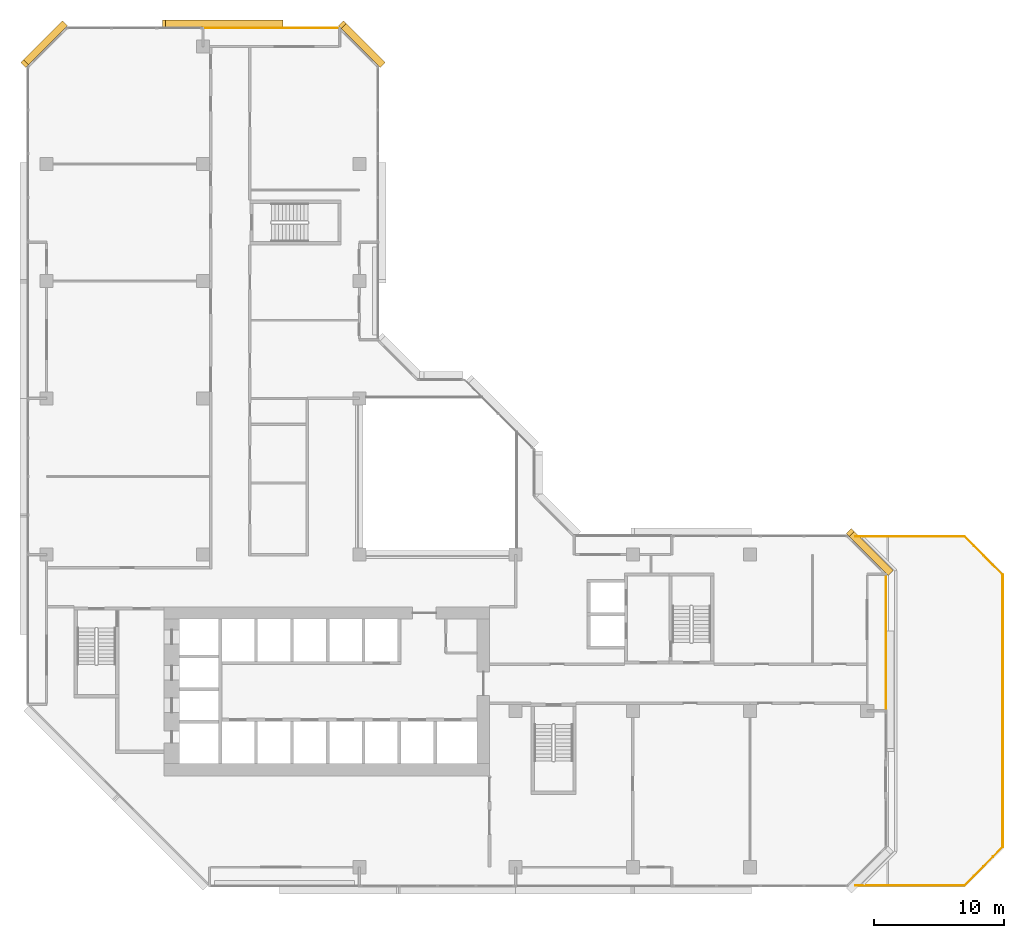
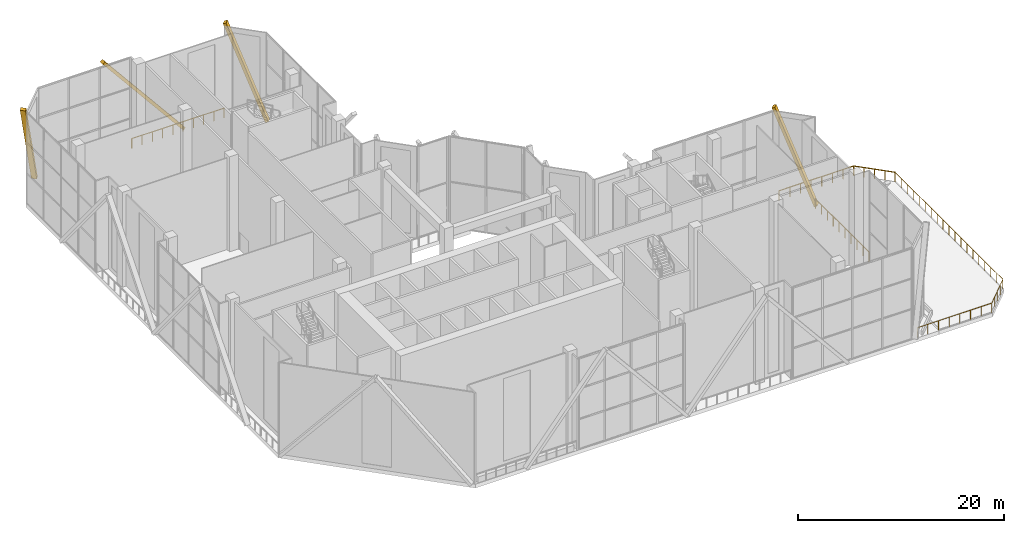
# One storey, part 21 of 21: 4 coverings, 4 railings.
"""IFC4 building model written with IfcOpenShell, lengths in metres."""

from ifc_helpers import new_model, si_unit, direction, frame, origin, origin_2d, place, context, subcontext, project, spatial, rectangle, extrude, material, material_profile, profile_set, type_object, element, save


model = new_model("IFC4")

# Units and contexts
model_context = context("Model", 3, precision=1e-05, world=origin(), true_north=direction((0.0, 1.0)))
body_context = subcontext(model_context, "Body", "Model", "MODEL_VIEW")
ifc_project = project(units=[si_unit("LENGTHUNIT", "METRE"), si_unit("AREAUNIT", "SQUARE_METRE"), si_unit("VOLUMEUNIT", "CUBIC_METRE"), si_unit("PLANEANGLEUNIT", "RADIAN"), si_unit("MASSUNIT", "GRAM", prefix="KILO")], contexts=[model_context])

# Site, building, storey
site_placement = place(None, origin())
site = spatial("IfcSite", under=ifc_project, at=site_placement, CompositionType="ELEMENT")
building_placement = place(site_placement, origin())
building = spatial("IfcBuilding", under=site, at=building_placement, Name="Chenar Terraces", CompositionType="ELEMENT")
storey_placement = place(building_placement, frame((0.0, 0.0, 146.14990234375)))
storey = spatial("IfcBuildingStorey", under=building, at=storey_placement, Name="L34", CompositionType="ELEMENT", Elevation=146.14990234375)

# Railings
ifc_material_1 = material(Name="Stainless steel and glass", Category="steel")
railing_type_1 = type_object("IfcRailingType", Name="Loggia guard 1150", PredefinedType="GUARDRAIL", material=ifc_material_1)
railing_1_placement = place(storey_placement, frame((64.449951171875, 12.074951171875, 0.0)))
element("IfcRailing", 1, at=railing_1_placement, inside=storey, type_object=railing_type_1, Name="Loggia guard", PredefinedType="GUARDRAIL", context=body_context, shape_type="SweptSolid", body=[
    extrude(rectangle(XDim=0.048095703125, YDim=0.048095703125, at=origin_2d()), frame((0.0, 0.0, 1.1259765625), z_axis=(0.0, 1.0, 0.0), x_axis=(-1.0, 0.0, 0.0)), (0.0, 0.0, 1.0), 10.35009765625),
    extrude(rectangle(XDim=0.0419921875, YDim=0.0419921875, at=origin_2d()), origin(), (0.0, 0.0, 1.0), 1.101806640625),
    extrude(rectangle(XDim=0.0419921875, YDim=0.0419921875, at=origin_2d()), frame((0.0, 1.14990234375, 0.0)), (0.0, 0.0, 1.0), 1.101806640625),
    extrude(rectangle(XDim=0.0419921875, YDim=0.0419921875, at=origin_2d()), frame((0.0, 2.300048828125, 0.0)), (0.0, 0.0, 1.0), 1.101806640625),
    extrude(rectangle(XDim=0.0419921875, YDim=0.0419921875, at=origin_2d()), frame((0.0, 3.449951171875, 0.0)), (0.0, 0.0, 1.0), 1.101806640625),
    extrude(rectangle(XDim=0.0419921875, YDim=0.0419921875, at=origin_2d()), frame((0.0, 4.60009765625, 0.0)), (0.0, 0.0, 1.0), 1.101806640625),
    extrude(rectangle(XDim=0.0419921875, YDim=0.0419921875, at=origin_2d()), frame((0.0, 5.75, 0.0)), (0.0, 0.0, 1.0), 1.101806640625),
    extrude(rectangle(XDim=0.0419921875, YDim=0.0419921875, at=origin_2d()), frame((0.0, 6.900146484375, 0.0)), (0.0, 0.0, 1.0), 1.101806640625),
    extrude(rectangle(XDim=0.0419921875, YDim=0.0419921875, at=origin_2d()), frame((0.0, 8.050048828125, 0.0)), (0.0, 0.0, 1.0), 1.101806640625),
    extrude(rectangle(XDim=0.0419921875, YDim=0.0419921875, at=origin_2d()), frame((0.0, 9.2001953125, 0.0)), (0.0, 0.0, 1.0), 1.101806640625),
    extrude(rectangle(XDim=0.0419921875, YDim=0.0419921875, at=origin_2d()), frame((0.0, 10.35009765625, 0.0)), (0.0, 0.0, 1.0), 1.101806640625),
])
railing_2_placement = place(storey_placement, frame((22.425048828125, 64.449951171875, 0.0)))
element("IfcRailing", 2, at=railing_2_placement, inside=storey, type_object=railing_type_1, Name="Loggia guard", PredefinedType="GUARDRAIL", context=body_context, shape_type="SweptSolid", body=[
    extrude(rectangle(XDim=0.048095703125, YDim=0.048095703125, at=origin_2d()), frame((0.0, 0.0, 1.1259765625), z_axis=(-1.0, 0.0, 0.0), x_axis=(0.0, -1.0, 0.0)), (0.0, 0.0, 1.0), 10.35009765625),
    extrude(rectangle(XDim=0.0419921875, YDim=0.0419921875, at=origin_2d()), origin(), (0.0, 0.0, 1.0), 1.101806640625),
    extrude(rectangle(XDim=0.0419921875, YDim=0.0419921875, at=origin_2d()), frame((-1.14990234375, 0.0, 0.0)), (0.0, 0.0, 1.0), 1.101806640625),
    extrude(rectangle(XDim=0.0419921875, YDim=0.0419921875, at=origin_2d()), frame((-2.300048828125, 0.0, 0.0)), (0.0, 0.0, 1.0), 1.101806640625),
    extrude(rectangle(XDim=0.0419921875, YDim=0.0419921875, at=origin_2d()), frame((-3.449951171875, 0.0, 0.0)), (0.0, 0.0, 1.0), 1.101806640625),
    extrude(rectangle(XDim=0.0419921875, YDim=0.0419921875, at=origin_2d()), frame((-4.60009765625, 0.0, 0.0)), (0.0, 0.0, 1.0), 1.101806640625),
    extrude(rectangle(XDim=0.0419921875, YDim=0.0419921875, at=origin_2d()), frame((-5.75, 0.0, 0.0)), (0.0, 0.0, 1.0), 1.101806640625),
    extrude(rectangle(XDim=0.0419921875, YDim=0.0419921875, at=origin_2d()), frame((-6.900146484375, 0.0, 0.0)), (0.0, 0.0, 1.0), 1.101806640625),
    extrude(rectangle(XDim=0.0419921875, YDim=0.0419921875, at=origin_2d()), frame((-8.050048828125, 0.0, 0.0)), (0.0, 0.0, 1.0), 1.101806640625),
    extrude(rectangle(XDim=0.0419921875, YDim=0.0419921875, at=origin_2d()), frame((-9.2001953125, 0.0, 0.0)), (0.0, 0.0, 1.0), 1.101806640625),
    extrude(rectangle(XDim=0.0419921875, YDim=0.0419921875, at=origin_2d()), frame((-10.35009765625, 0.0, 0.0)), (0.0, 0.0, 1.0), 1.101806640625),
])
ifc_material_2 = material(Name="Stainless steel and glass", Category="steel")
railing_type_2 = type_object("IfcRailingType", Name="Terrace guard 1150", PredefinedType="GUARDRAIL", material=ifc_material_2)
railing_3_placement = place(storey_placement, frame((73.39990234375, 22.45849609375, 0.0)))
element("IfcRailing", 3, at=railing_3_placement, inside=storey, type_object=railing_type_2, Name="Terrace guard", PredefinedType="GUARDRAIL", context=body_context, shape_type="SweptSolid", body=[
    extrude(rectangle(XDim=0.048095703125, YDim=0.048095703125, at=origin_2d()), frame((0.0, 0.0, 1.1259765625), z_axis=(0.0, -1.0, 0.0), x_axis=(1.0, 0.0, 0.0)), (0.0, 0.0, 1.0), 20.9169921875),
    extrude(rectangle(XDim=0.048095703125, YDim=0.048095703125, at=origin_2d()), frame((0.0, -20.9169921875, 1.1259765625), z_axis=(-0.707106781187, -0.707106781187, 0.0), x_axis=(0.707106781187, -0.707106781187, 0.0)), (0.0, 0.0, 1.0), 4.15966796875),
    extrude(rectangle(XDim=0.048095703125, YDim=0.048095703125, at=origin_2d()), frame((-2.94140625, -23.8583984375, 1.1259765625), z_axis=(-1.0, 0.0, 0.0), x_axis=(0.0, -1.0, 0.0)), (0.0, 0.0, 1.0), 8.363525390625),
    extrude(rectangle(XDim=0.0419921875, YDim=0.0419921875, at=origin_2d()), origin(), (0.0, 0.0, 1.0), 1.101806640625),
    extrude(rectangle(XDim=0.0419921875, YDim=0.0419921875, at=origin_2d()), frame((0.0, -1.162109375, 0.0)), (0.0, 0.0, 1.0), 1.101806640625),
    extrude(rectangle(XDim=0.0419921875, YDim=0.0419921875, at=origin_2d()), frame((0.0, -2.32421875, 0.0)), (0.0, 0.0, 1.0), 1.101806640625),
    extrude(rectangle(XDim=0.0419921875, YDim=0.0419921875, at=origin_2d()), frame((0.0, -3.486083984375, 0.0)), (0.0, 0.0, 1.0), 1.101806640625),
    extrude(rectangle(XDim=0.0419921875, YDim=0.0419921875, at=origin_2d()), frame((0.0, -4.648193359375, 0.0)), (0.0, 0.0, 1.0), 1.101806640625),
    extrude(rectangle(XDim=0.0419921875, YDim=0.0419921875, at=origin_2d()), frame((0.0, -5.810302734375, 0.0)), (0.0, 0.0, 1.0), 1.101806640625),
    extrude(rectangle(XDim=0.0419921875, YDim=0.0419921875, at=origin_2d()), frame((0.0, -6.972412109375, 0.0)), (0.0, 0.0, 1.0), 1.101806640625),
    extrude(rectangle(XDim=0.0419921875, YDim=0.0419921875, at=origin_2d()), frame((0.0, -8.13427734375, 0.0)), (0.0, 0.0, 1.0), 1.101806640625),
    extrude(rectangle(XDim=0.0419921875, YDim=0.0419921875, at=origin_2d()), frame((0.0, -9.29638671875, 0.0)), (0.0, 0.0, 1.0), 1.101806640625),
    extrude(rectangle(XDim=0.0419921875, YDim=0.0419921875, at=origin_2d()), frame((0.0, -10.45849609375, 0.0)), (0.0, 0.0, 1.0), 1.101806640625),
    extrude(rectangle(XDim=0.0419921875, YDim=0.0419921875, at=origin_2d()), frame((0.0, -11.62060546875, 0.0)), (0.0, 0.0, 1.0), 1.101806640625),
    extrude(rectangle(XDim=0.0419921875, YDim=0.0419921875, at=origin_2d()), frame((0.0, -12.78271484375, 0.0)), (0.0, 0.0, 1.0), 1.101806640625),
    extrude(rectangle(XDim=0.0419921875, YDim=0.0419921875, at=origin_2d()), frame((0.0, -13.944580078125, 0.0)), (0.0, 0.0, 1.0), 1.101806640625),
    extrude(rectangle(XDim=0.0419921875, YDim=0.0419921875, at=origin_2d()), frame((0.0, -15.106689453125, 0.0)), (0.0, 0.0, 1.0), 1.101806640625),
    extrude(rectangle(XDim=0.0419921875, YDim=0.0419921875, at=origin_2d()), frame((0.0, -16.268798828125, 0.0)), (0.0, 0.0, 1.0), 1.101806640625),
    extrude(rectangle(XDim=0.0419921875, YDim=0.0419921875, at=origin_2d()), frame((0.0, -17.430908203125, 0.0)), (0.0, 0.0, 1.0), 1.101806640625),
    extrude(rectangle(XDim=0.0419921875, YDim=0.0419921875, at=origin_2d()), frame((0.0, -18.5927734375, 0.0)), (0.0, 0.0, 1.0), 1.101806640625),
    extrude(rectangle(XDim=0.0419921875, YDim=0.0419921875, at=origin_2d()), frame((0.0, -19.7548828125, 0.0)), (0.0, 0.0, 1.0), 1.101806640625),
    extrude(rectangle(XDim=0.0419921875, YDim=0.0419921875, at=origin_2d()), frame((0.0, -20.9169921875, 0.0)), (0.0, 0.0, 1.0), 1.101806640625),
    extrude(rectangle(XDim=0.0419921875, YDim=0.0419921875, at=origin_2d()), frame((-0.7353515625, -21.65234375, 0.0)), (0.0, 0.0, 1.0), 1.101806640625),
    extrude(rectangle(XDim=0.0419921875, YDim=0.0419921875, at=origin_2d()), frame((-1.470703125, -22.3876953125, 0.0)), (0.0, 0.0, 1.0), 1.101806640625),
    extrude(rectangle(XDim=0.0419921875, YDim=0.0419921875, at=origin_2d()), frame((-2.2060546875, -23.123046875, 0.0)), (0.0, 0.0, 1.0), 1.101806640625),
    extrude(rectangle(XDim=0.0419921875, YDim=0.0419921875, at=origin_2d()), frame((-2.94140625, -23.8583984375, 0.0)), (0.0, 0.0, 1.0), 1.101806640625),
    extrude(rectangle(XDim=0.0419921875, YDim=0.0419921875, at=origin_2d()), frame((-4.13623046875, -23.8583984375, 0.0)), (0.0, 0.0, 1.0), 1.101806640625),
    extrude(rectangle(XDim=0.0419921875, YDim=0.0419921875, at=origin_2d()), frame((-5.3310546875, -23.8583984375, 0.0)), (0.0, 0.0, 1.0), 1.101806640625),
    extrude(rectangle(XDim=0.0419921875, YDim=0.0419921875, at=origin_2d()), frame((-6.52587890625, -23.8583984375, 0.0)), (0.0, 0.0, 1.0), 1.101806640625),
    extrude(rectangle(XDim=0.0419921875, YDim=0.0419921875, at=origin_2d()), frame((-7.720458984375, -23.8583984375, 0.0)), (0.0, 0.0, 1.0), 1.101806640625),
    extrude(rectangle(XDim=0.0419921875, YDim=0.0419921875, at=origin_2d()), frame((-8.915283203125, -23.8583984375, 0.0)), (0.0, 0.0, 1.0), 1.101806640625),
    extrude(rectangle(XDim=0.0419921875, YDim=0.0419921875, at=origin_2d()), frame((-10.110107421875, -23.8583984375, 0.0)), (0.0, 0.0, 1.0), 1.101806640625),
    extrude(rectangle(XDim=0.0419921875, YDim=0.0419921875, at=origin_2d()), frame((-11.304931640625, -23.8583984375, 0.0)), (0.0, 0.0, 1.0), 1.101806640625),
])
railing_4_placement = place(storey_placement, frame((62.094970703125, 25.39990234375, 0.0)))
element("IfcRailing", 4, at=railing_4_placement, inside=storey, type_object=railing_type_2, Name="Terrace guard", PredefinedType="GUARDRAIL", context=body_context, shape_type="SweptSolid", body=[
    extrude(rectangle(XDim=0.048095703125, YDim=0.048095703125, at=origin_2d()), frame((0.0, 0.0, 1.1259765625), z_axis=(1.0, 0.0, 0.0), x_axis=(0.0, 1.0, 0.0)), (0.0, 0.0, 1.0), 8.363525390625),
    extrude(rectangle(XDim=0.048095703125, YDim=0.048095703125, at=origin_2d()), frame((8.363525390625, 0.0, 1.1259765625), z_axis=(0.707106781187, -0.707106781187, 0.0), x_axis=(0.707106781187, 0.707106781187, 0.0)), (0.0, 0.0, 1.0), 4.15966796875),
    extrude(rectangle(XDim=0.0419921875, YDim=0.0419921875, at=origin_2d()), origin(), (0.0, 0.0, 1.0), 1.101806640625),
    extrude(rectangle(XDim=0.0419921875, YDim=0.0419921875, at=origin_2d()), frame((1.19482421875, 0.0, 0.0)), (0.0, 0.0, 1.0), 1.101806640625),
    extrude(rectangle(XDim=0.0419921875, YDim=0.0419921875, at=origin_2d()), frame((2.3896484375, 0.0, 0.0)), (0.0, 0.0, 1.0), 1.101806640625),
    extrude(rectangle(XDim=0.0419921875, YDim=0.0419921875, at=origin_2d()), frame((3.58447265625, 0.0, 0.0)), (0.0, 0.0, 1.0), 1.101806640625),
    extrude(rectangle(XDim=0.0419921875, YDim=0.0419921875, at=origin_2d()), frame((4.779052734375, 0.0, 0.0)), (0.0, 0.0, 1.0), 1.101806640625),
    extrude(rectangle(XDim=0.0419921875, YDim=0.0419921875, at=origin_2d()), frame((5.973876953125, 0.0, 0.0)), (0.0, 0.0, 1.0), 1.101806640625),
    extrude(rectangle(XDim=0.0419921875, YDim=0.0419921875, at=origin_2d()), frame((7.168701171875, 0.0, 0.0)), (0.0, 0.0, 1.0), 1.101806640625),
    extrude(rectangle(XDim=0.0419921875, YDim=0.0419921875, at=origin_2d()), frame((8.363525390625, 0.0, 0.0)), (0.0, 0.0, 1.0), 1.101806640625),
    extrude(rectangle(XDim=0.0419921875, YDim=0.0419921875, at=origin_2d()), frame((9.098876953125, -0.7353515625, 0.0)), (0.0, 0.0, 1.0), 1.101806640625),
    extrude(rectangle(XDim=0.0419921875, YDim=0.0419921875, at=origin_2d()), frame((9.834228515625, -1.470703125, 0.0)), (0.0, 0.0, 1.0), 1.101806640625),
    extrude(rectangle(XDim=0.0419921875, YDim=0.0419921875, at=origin_2d()), frame((10.569580078125, -2.2060546875, 0.0)), (0.0, 0.0, 1.0), 1.101806640625),
    extrude(rectangle(XDim=0.0419921875, YDim=0.0419921875, at=origin_2d()), frame((11.304931640625, -2.94140625, 0.0)), (0.0, 0.0, 1.0), 1.101806640625),
])

# Coverings
ifc_material_3 = material(Name="Terracotta", Category="masonry")
ifc_material_profile = material_profile(ifc_material_3, rectangle(XDim=0.550048828125, YDim=0.330078125, at=origin_2d()), Name="Terracotta baguette 550 x 330")
ifc_profile_set = profile_set([ifc_material_profile], Name="Terracotta")
covering_type = type_object("IfcCoveringType", Name="Terracotta baguette 550 x 330", PredefinedType="CLADDING", material=ifc_profile_set)
covering_1_placement = place(storey_placement, frame((25.6943359375, 61.6943359375, 0.150146484375), z_axis=(-0.255448778865, 0.255469569031, 0.932459768931), x_axis=(-0.70713555402, -0.707078007182, 0.0)))
element("IfcCovering", 5, at=covering_1_placement, inside=storey, type_object=covering_type, Name="Terracotta baguette", PredefinedType="CLADDING", context=body_context, shape_type="SweptSolid", body=[
    extrude(rectangle(XDim=0.550048828125, YDim=0.330078125, at=origin_2d()), origin(), (0.0, 0.0, 1.0), 11.7431640625),
])
covering_2_placement = place(storey_placement, frame((18.0, 64.77490234375, 0.150146484375), z_axis=(-0.634966765532, 0.0, 0.772539453148), x_axis=(0.0, -1.0, 0.0)))
element("IfcCovering", 6, at=covering_2_placement, inside=storey, type_object=covering_type, Name="Terracotta baguette", PredefinedType="CLADDING", context=body_context, shape_type="SweptSolid", body=[
    extrude(rectangle(XDim=0.550048828125, YDim=0.330078125, at=origin_2d()), origin(), (0.0, 0.0, 1.0), 14.174072265625),
])
for number, where, z_axis, x_axis, name in (
    (7, (1.3056640625, 64.6943359375, 0.150146484375), (-0.255469569031, -0.255448778865, 0.932459768931), (0.707078007182, -0.70713555402, 0.0), "Terracotta baguette"),
    (8, (64.6943359375, 22.6943359375, 0.150146484375), (-0.255448778865, 0.255469569031, 0.932459768931), (-0.70713555402, -0.707078007182, 0.0), "Terracotta baguette"),
):
    element("IfcCovering", number, at=place(storey_placement, frame(where, z_axis=z_axis, x_axis=x_axis)), inside=storey, type_object=covering_type, Name=name, PredefinedType="CLADDING", context=body_context, shape_type="SweptSolid", body=[
        extrude(rectangle(XDim=0.550048828125, YDim=0.330078125, at=origin_2d()), origin(), (0.0, 0.0, 1.0), 11.7431640625),
    ])

save(model, "model.ifc")
